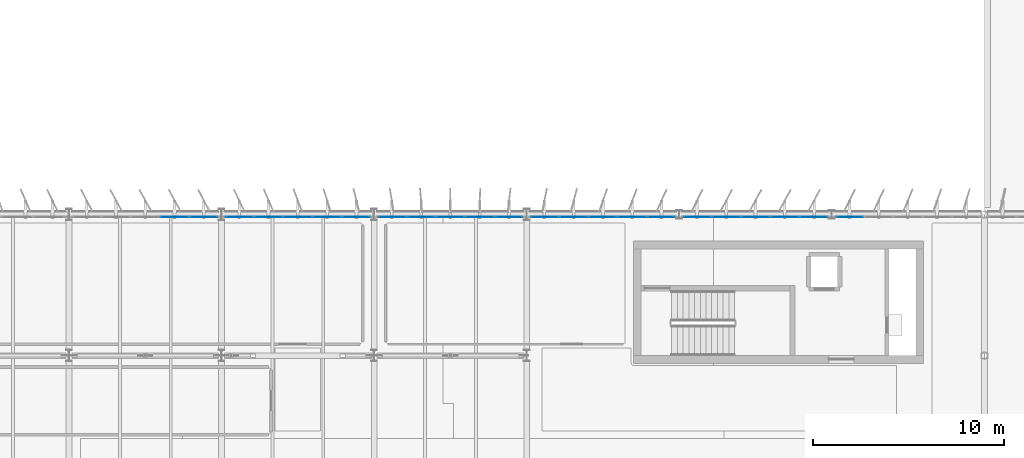
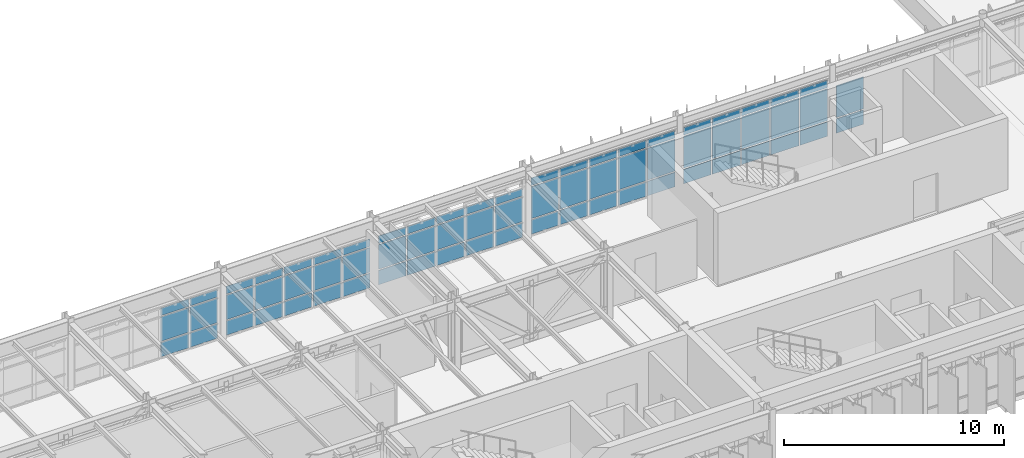
# One storey, part 30 of 56: 68 plates, 6 elements without a shape of their own.
"""IFC4 building model written with IfcOpenShell, lengths in metres."""

from ifc_helpers import new_model, si_unit, direction, frame, origin, origin_2d, place, context, subcontext, project, spatial, rectangle, extrude, material, layer, layer_set, type_object, element, aggregate, save


model = new_model("IFC4")

# Units and contexts
model_context = context("Model", 3, precision=1e-05, world=origin(), true_north=direction((0.0, 1.0)))
body_context = subcontext(model_context, "Body", "Model", "MODEL_VIEW")
ifc_project = project(units=[si_unit("LENGTHUNIT", "METRE"), si_unit("AREAUNIT", "SQUARE_METRE"), si_unit("VOLUMEUNIT", "CUBIC_METRE"), si_unit("PLANEANGLEUNIT", "RADIAN"), si_unit("MASSUNIT", "GRAM", prefix="KILO")], contexts=[model_context])

# Site, building, storey
site_placement = place(None, origin())
site = spatial("IfcSite", under=ifc_project, at=site_placement, CompositionType="ELEMENT")
building_placement = place(site_placement, origin())
building = spatial("IfcBuilding", under=site, at=building_placement, Name="Valkorina Park Police Headquarters", CompositionType="ELEMENT")
storey_placement = place(building_placement, frame((0.0, 0.0, 14.10009765625)))
storey = spatial("IfcBuildingStorey", under=building, at=storey_placement, Name="L04", CompositionType="ELEMENT", Elevation=14.10009765625)

# Curtain wall, plates
ifc_material_1 = material(Name="Thermally broken aluminium AW-6060", Category="aluminium")
ifc_layer_1 = layer(ifc_material_1, 0.18994140625)
ifc_layer_set_1 = layer_set([ifc_layer_1], Name="Thermally broken aluminium AW-6060")
curtain_wall_type_1 = type_object("IfcCurtainWallType", Name="CW-V5-7680x2840", PredefinedType="NOTDEFINED", material=ifc_layer_set_1)
curtain_wall_1_placement = place(storey_placement, origin())
curtain_wall_1 = element("IfcCurtainWall", 1, at=curtain_wall_1_placement, inside=storey, type_object=curtain_wall_type_1, Name="L04 Unitised Curtain Wall 031", PredefinedType="NOTDEFINED")
ifc_layer_2 = layer(ifc_material_1, 0.050048828125)
ifc_layer_set_2 = layer_set([ifc_layer_2], Name="Thermally broken aluminium AW-6060")
plate_type_1 = type_object("IfcPlateType", Name="PL-CWP-SPANDREL-50", PredefinedType="CURTAIN_PANEL", material=ifc_layer_set_2)
plate_1_placement = place(storey_placement, frame((14.3359375, 59.080078125, 0.06982421875), z_axis=(0.0, 0.0, 1.0), x_axis=(1.0, 0.0, 0.0)))
plate_1 = element("IfcPlate", 2, at=plate_1_placement, type_object=plate_type_1, Name="CW-V5-768-284 panel 4.1", PredefinedType="CURTAIN_PANEL", context=body_context, shape_type="SweptSolid", body=[
    extrude(rectangle(XDim=1.466064453125, YDim=0.028076171875, at=origin_2d()), origin(), (0.0, 0.0, 1.0), 0.794921875),
])
plate_2_placement = place(storey_placement, frame((15.8544921875, 59.080078125, 0.06982421875), z_axis=(0.0, 0.0, 1.0), x_axis=(1.0, 0.0, 0.0)))
plate_2 = element("IfcPlate", 3, at=plate_2_placement, type_object=plate_type_1, Name="CW-V5-768-284 panel 5.1", PredefinedType="CURTAIN_PANEL", context=body_context, shape_type="SweptSolid", body=[
    extrude(rectangle(XDim=1.430908203125, YDim=0.028076171875, at=origin_2d()), origin(), (0.0, 0.0, 1.0), 0.794921875),
])

curtain_wall_2_placement = place(storey_placement, origin())
curtain_wall_2 = element("IfcCurtainWall", 4, at=curtain_wall_2_placement, inside=storey, type_object=curtain_wall_type_1, Name="L04 Unitised Curtain Wall 032", PredefinedType="NOTDEFINED")
plate_3_placement = place(storey_placement, frame((17.74560546875, 59.080078125, 0.06982421875), z_axis=(0.0, 0.0, 1.0), x_axis=(1.0, 0.0, 0.0)))
plate_3 = element("IfcPlate", 5, at=plate_3_placement, type_object=plate_type_1, Name="CW-V5-768-284 panel 1.1", PredefinedType="CURTAIN_PANEL", context=body_context, shape_type="SweptSolid", body=[
    extrude(rectangle(XDim=1.430908203125, YDim=0.028076171875, at=origin_2d()), origin(), (0.0, 0.0, 1.0), 0.794921875),
])
plate_4_placement = place(storey_placement, frame((19.263916015625, 59.080078125, 0.06982421875), z_axis=(0.0, 0.0, 1.0), x_axis=(1.0, 0.0, 0.0)))
plate_4 = element("IfcPlate", 6, at=plate_4_placement, type_object=plate_type_1, Name="CW-V5-768-284 panel 2.1", PredefinedType="CURTAIN_PANEL", context=body_context, shape_type="SweptSolid", body=[
    extrude(rectangle(XDim=1.466064453125, YDim=0.028076171875, at=origin_2d()), origin(), (0.0, 0.0, 1.0), 0.794921875),
])
plate_5_placement = place(storey_placement, frame((20.800048828125, 59.080078125, 0.06982421875), z_axis=(0.0, 0.0, 1.0), x_axis=(1.0, 0.0, 0.0)))
plate_5 = element("IfcPlate", 7, at=plate_5_placement, type_object=plate_type_1, Name="CW-V5-768-284 panel 3.1", PredefinedType="CURTAIN_PANEL", context=body_context, shape_type="SweptSolid", body=[
    extrude(rectangle(XDim=1.466064453125, YDim=0.028076171875, at=origin_2d()), origin(), (0.0, 0.0, 1.0), 0.794921875),
])
plate_6_placement = place(storey_placement, frame((22.3359375, 59.080078125, 0.06982421875), z_axis=(0.0, 0.0, 1.0), x_axis=(1.0, 0.0, 0.0)))
plate_6 = element("IfcPlate", 8, at=plate_6_placement, type_object=plate_type_1, Name="CW-V5-768-284 panel 4.1", PredefinedType="CURTAIN_PANEL", context=body_context, shape_type="SweptSolid", body=[
    extrude(rectangle(XDim=1.466064453125, YDim=0.028076171875, at=origin_2d()), origin(), (0.0, 0.0, 1.0), 0.794921875),
])
plate_7_placement = place(storey_placement, frame((23.8544921875, 59.080078125, 0.06982421875), z_axis=(0.0, 0.0, 1.0), x_axis=(1.0, 0.0, 0.0)))
plate_7 = element("IfcPlate", 9, at=plate_7_placement, type_object=plate_type_1, Name="CW-V5-768-284 panel 5.1", PredefinedType="CURTAIN_PANEL", context=body_context, shape_type="SweptSolid", body=[
    extrude(rectangle(XDim=1.430908203125, YDim=0.028076171875, at=origin_2d()), origin(), (0.0, 0.0, 1.0), 0.794921875),
])

curtain_wall_3_placement = place(storey_placement, origin())
curtain_wall_3 = element("IfcCurtainWall", 10, at=curtain_wall_3_placement, inside=storey, type_object=curtain_wall_type_1, Name="L04 Unitised Curtain Wall 033", PredefinedType="NOTDEFINED")
plate_8_placement = place(storey_placement, frame((25.74560546875, 59.080078125, 0.06982421875), z_axis=(0.0, 0.0, 1.0), x_axis=(1.0, 0.0, 0.0)))
plate_8 = element("IfcPlate", 11, at=plate_8_placement, type_object=plate_type_1, Name="CW-V5-768-284 panel 1.1", PredefinedType="CURTAIN_PANEL", context=body_context, shape_type="SweptSolid", body=[
    extrude(rectangle(XDim=1.430908203125, YDim=0.028076171875, at=origin_2d()), origin(), (0.0, 0.0, 1.0), 0.794921875),
])
plate_9_placement = place(storey_placement, frame((27.263916015625, 59.080078125, 0.06982421875), z_axis=(0.0, 0.0, 1.0), x_axis=(1.0, 0.0, 0.0)))
plate_9 = element("IfcPlate", 12, at=plate_9_placement, type_object=plate_type_1, Name="CW-V5-768-284 panel 2.1", PredefinedType="CURTAIN_PANEL", context=body_context, shape_type="SweptSolid", body=[
    extrude(rectangle(XDim=1.466064453125, YDim=0.028076171875, at=origin_2d()), origin(), (0.0, 0.0, 1.0), 0.794921875),
])
plate_10_placement = place(storey_placement, frame((28.800048828125, 59.080078125, 0.06982421875), z_axis=(0.0, 0.0, 1.0), x_axis=(1.0, 0.0, 0.0)))
plate_10 = element("IfcPlate", 13, at=plate_10_placement, type_object=plate_type_1, Name="CW-V5-768-284 panel 3.1", PredefinedType="CURTAIN_PANEL", context=body_context, shape_type="SweptSolid", body=[
    extrude(rectangle(XDim=1.466064453125, YDim=0.028076171875, at=origin_2d()), origin(), (0.0, 0.0, 1.0), 0.794921875),
])
plate_11_placement = place(storey_placement, frame((30.3359375, 59.080078125, 0.06982421875), z_axis=(0.0, 0.0, 1.0), x_axis=(1.0, 0.0, 0.0)))
plate_11 = element("IfcPlate", 14, at=plate_11_placement, type_object=plate_type_1, Name="CW-V5-768-284 panel 4.1", PredefinedType="CURTAIN_PANEL", context=body_context, shape_type="SweptSolid", body=[
    extrude(rectangle(XDim=1.466064453125, YDim=0.028076171875, at=origin_2d()), origin(), (0.0, 0.0, 1.0), 0.794921875),
])
plate_12_placement = place(storey_placement, frame((31.8544921875, 59.080078125, 0.06982421875), z_axis=(0.0, 0.0, 1.0), x_axis=(1.0, 0.0, 0.0)))
plate_12 = element("IfcPlate", 15, at=plate_12_placement, type_object=plate_type_1, Name="CW-V5-768-284 panel 5.1", PredefinedType="CURTAIN_PANEL", context=body_context, shape_type="SweptSolid", body=[
    extrude(rectangle(XDim=1.430908203125, YDim=0.028076171875, at=origin_2d()), origin(), (0.0, 0.0, 1.0), 0.794921875),
])

ifc_layer_3 = layer(ifc_material_1, 0.18994140625)
ifc_layer_set_3 = layer_set([ifc_layer_3], Name="Thermally broken aluminium AW-6060")
curtain_wall_type_2 = type_object("IfcCurtainWallType", Name="CW-V5-7680x3260", PredefinedType="NOTDEFINED", material=ifc_layer_set_3)
curtain_wall_4_placement = place(storey_placement, origin())
curtain_wall_4 = element("IfcCurtainWall", 16, at=curtain_wall_4_placement, inside=storey, type_object=curtain_wall_type_2, Name="L04 Unitised Curtain Wall 034", PredefinedType="NOTDEFINED")
plate_13_placement = place(storey_placement, frame((33.74560546875, 59.080078125, 0.06982421875), z_axis=(0.0, 0.0, 1.0), x_axis=(1.0, 0.0, 0.0)))
plate_13 = element("IfcPlate", 17, at=plate_13_placement, type_object=plate_type_1, Name="CW-V5-768-326 panel 1.1", PredefinedType="CURTAIN_PANEL", context=body_context, shape_type="SweptSolid", body=[
    extrude(rectangle(XDim=1.430908203125, YDim=0.028076171875, at=origin_2d()), origin(), (0.0, 0.0, 1.0), 0.794921875),
])
plate_14_placement = place(storey_placement, frame((35.263916015625, 59.080078125, 0.06982421875), z_axis=(0.0, 0.0, 1.0), x_axis=(1.0, 0.0, 0.0)))
plate_14 = element("IfcPlate", 18, at=plate_14_placement, type_object=plate_type_1, Name="CW-V5-768-326 panel 2.1", PredefinedType="CURTAIN_PANEL", context=body_context, shape_type="SweptSolid", body=[
    extrude(rectangle(XDim=1.466064453125, YDim=0.028076171875, at=origin_2d()), origin(), (0.0, 0.0, 1.0), 0.794921875),
])
plate_15_placement = place(storey_placement, frame((36.800048828125, 59.080078125, 0.06982421875), z_axis=(0.0, 0.0, 1.0), x_axis=(1.0, 0.0, 0.0)))
plate_15 = element("IfcPlate", 19, at=plate_15_placement, type_object=plate_type_1, Name="CW-V5-768-326 panel 3.1", PredefinedType="CURTAIN_PANEL", context=body_context, shape_type="SweptSolid", body=[
    extrude(rectangle(XDim=1.466064453125, YDim=0.028076171875, at=origin_2d()), origin(), (0.0, 0.0, 1.0), 0.794921875),
])
plate_16_placement = place(storey_placement, frame((38.3359375, 59.080078125, 0.06982421875), z_axis=(0.0, 0.0, 1.0), x_axis=(1.0, 0.0, 0.0)))
plate_16 = element("IfcPlate", 20, at=plate_16_placement, type_object=plate_type_1, Name="CW-V5-768-326 panel 4.1", PredefinedType="CURTAIN_PANEL", context=body_context, shape_type="SweptSolid", body=[
    extrude(rectangle(XDim=1.466064453125, YDim=0.028076171875, at=origin_2d()), origin(), (0.0, 0.0, 1.0), 0.794921875),
])
plate_17_placement = place(storey_placement, frame((39.8544921875, 59.080078125, 0.06982421875), z_axis=(0.0, 0.0, 1.0), x_axis=(1.0, 0.0, 0.0)))
plate_17 = element("IfcPlate", 21, at=plate_17_placement, type_object=plate_type_1, Name="CW-V5-768-326 panel 5.1", PredefinedType="CURTAIN_PANEL", context=body_context, shape_type="SweptSolid", body=[
    extrude(rectangle(XDim=1.430908203125, YDim=0.028076171875, at=origin_2d()), origin(), (0.0, 0.0, 1.0), 0.794921875),
])

curtain_wall_5_placement = place(storey_placement, origin())
curtain_wall_5 = element("IfcCurtainWall", 22, at=curtain_wall_5_placement, inside=storey, type_object=curtain_wall_type_2, Name="L04 Unitised Curtain Wall 035", PredefinedType="NOTDEFINED")
plate_18_placement = place(storey_placement, frame((41.74560546875, 59.080078125, 0.06982421875), z_axis=(0.0, 0.0, 1.0), x_axis=(1.0, 0.0, 0.0)))
plate_18 = element("IfcPlate", 23, at=plate_18_placement, type_object=plate_type_1, Name="CW-V5-768-326 panel 1.1", PredefinedType="CURTAIN_PANEL", context=body_context, shape_type="SweptSolid", body=[
    extrude(rectangle(XDim=1.430908203125, YDim=0.028076171875, at=origin_2d()), origin(), (0.0, 0.0, 1.0), 0.794921875),
])
plate_19_placement = place(storey_placement, frame((43.263916015625, 59.080078125, 0.06982421875), z_axis=(0.0, 0.0, 1.0), x_axis=(1.0, 0.0, 0.0)))
plate_19 = element("IfcPlate", 24, at=plate_19_placement, type_object=plate_type_1, Name="CW-V5-768-326 panel 2.1", PredefinedType="CURTAIN_PANEL", context=body_context, shape_type="SweptSolid", body=[
    extrude(rectangle(XDim=1.466064453125, YDim=0.028076171875, at=origin_2d()), origin(), (0.0, 0.0, 1.0), 0.794921875),
])
plate_20_placement = place(storey_placement, frame((44.800048828125, 59.080078125, 0.06982421875), z_axis=(0.0, 0.0, 1.0), x_axis=(1.0, 0.0, 0.0)))
plate_20 = element("IfcPlate", 25, at=plate_20_placement, type_object=plate_type_1, Name="CW-V5-768-326 panel 3.1", PredefinedType="CURTAIN_PANEL", context=body_context, shape_type="SweptSolid", body=[
    extrude(rectangle(XDim=1.466064453125, YDim=0.028076171875, at=origin_2d()), origin(), (0.0, 0.0, 1.0), 0.794921875),
])
plate_21_placement = place(storey_placement, frame((46.3359375, 59.080078125, 0.06982421875), z_axis=(0.0, 0.0, 1.0), x_axis=(1.0, 0.0, 0.0)))
plate_21 = element("IfcPlate", 26, at=plate_21_placement, type_object=plate_type_1, Name="CW-V5-768-326 panel 4.1", PredefinedType="CURTAIN_PANEL", context=body_context, shape_type="SweptSolid", body=[
    extrude(rectangle(XDim=1.466064453125, YDim=0.028076171875, at=origin_2d()), origin(), (0.0, 0.0, 1.0), 0.794921875),
])
plate_22_placement = place(storey_placement, frame((47.8544921875, 59.080078125, 0.06982421875), z_axis=(0.0, 0.0, 1.0), x_axis=(1.0, 0.0, 0.0)))
plate_22 = element("IfcPlate", 27, at=plate_22_placement, type_object=plate_type_1, Name="CW-V5-768-326 panel 5.1", PredefinedType="CURTAIN_PANEL", context=body_context, shape_type="SweptSolid", body=[
    extrude(rectangle(XDim=1.430908203125, YDim=0.028076171875, at=origin_2d()), origin(), (0.0, 0.0, 1.0), 0.794921875),
])

# Curtain wall, plate
ifc_layer_4 = layer(ifc_material_1, 0.18994140625)
ifc_layer_set_4 = layer_set([ifc_layer_4], Name="Thermally broken aluminium AW-6060")
curtain_wall_type_3 = type_object("IfcCurtainWallType", Name="CW-V5-7650x3260", PredefinedType="NOTDEFINED", material=ifc_layer_set_4)
curtain_wall_6_placement = place(storey_placement, origin())
curtain_wall_6 = element("IfcCurtainWall", 28, at=curtain_wall_6_placement, inside=storey, type_object=curtain_wall_type_3, Name="L04 Unitised Curtain Wall 036", PredefinedType="NOTDEFINED")
plate_23_placement = place(storey_placement, frame((49.74267578125, 59.080078125, 0.06982421875), z_axis=(0.0, 0.0, 1.0), x_axis=(1.0, 0.0, 0.0)))
plate_23 = element("IfcPlate", 29, at=plate_23_placement, type_object=plate_type_1, Name="CW-V5-765-326 panel 1.1", PredefinedType="CURTAIN_PANEL", context=body_context, shape_type="SweptSolid", body=[
    extrude(rectangle(XDim=1.425537109375, YDim=0.028076171875, at=origin_2d()), origin(), (0.0, 0.0, 1.0), 0.794921875),
])

# Plate
ifc_material_2 = material(Name="Triple low-E insulated glazing", Category="glass")
ifc_layer_5 = layer(ifc_material_2, 0.028076171875)
ifc_layer_set_5 = layer_set([ifc_layer_5], Name="Triple low-E insulated glazing")
plate_type_2 = type_object("IfcPlateType", Name="PL-CWP-VISION-28", PredefinedType="CURTAIN_PANEL", material=ifc_layer_set_5)
plate_24_placement = place(storey_placement, frame((14.3359375, 59.080078125, 0.934814453125), z_axis=(0.0, 0.0, 1.0), x_axis=(1.0, 0.0, 0.0)))
plate_24 = element("IfcPlate", 30, at=plate_24_placement, type_object=plate_type_2, Name="CW-V5-768-284 panel 4.2", PredefinedType="CURTAIN_PANEL", context=body_context, shape_type="SweptSolid", body=[
    extrude(rectangle(XDim=1.466064453125, YDim=0.028076171875, at=origin_2d()), origin(), (0.0, 0.0, 1.0), 1.35498046875),
])

plate_25_placement = place(storey_placement, frame((14.3359375, 59.080078125, 2.35986328125), z_axis=(0.0, 0.0, 1.0), x_axis=(1.0, 0.0, 0.0)))
plate_25 = element("IfcPlate", 31, at=plate_25_placement, type_object=plate_type_2, Name="CW-V5-768-284 panel 4.3", PredefinedType="CURTAIN_PANEL", context=body_context, shape_type="SweptSolid", body=[
    extrude(rectangle(XDim=1.466064453125, YDim=0.028076171875, at=origin_2d()), origin(), (0.0, 0.0, 1.0), 0.4150390625),
])

plate_26_placement = place(storey_placement, frame((15.8544921875, 59.080078125, 0.934814453125), z_axis=(0.0, 0.0, 1.0), x_axis=(1.0, 0.0, 0.0)))
plate_26 = element("IfcPlate", 32, at=plate_26_placement, type_object=plate_type_2, Name="CW-V5-768-284 panel 5.2", PredefinedType="CURTAIN_PANEL", context=body_context, shape_type="SweptSolid", body=[
    extrude(rectangle(XDim=1.430908203125, YDim=0.028076171875, at=origin_2d()), origin(), (0.0, 0.0, 1.0), 1.35498046875),
])

plate_27_placement = place(storey_placement, frame((15.8544921875, 59.080078125, 2.35986328125), z_axis=(0.0, 0.0, 1.0), x_axis=(1.0, 0.0, 0.0)))
plate_27 = element("IfcPlate", 33, at=plate_27_placement, type_object=plate_type_2, Name="CW-V5-768-284 panel 5.3", PredefinedType="CURTAIN_PANEL", context=body_context, shape_type="SweptSolid", body=[
    extrude(rectangle(XDim=1.430908203125, YDim=0.028076171875, at=origin_2d()), origin(), (0.0, 0.0, 1.0), 0.4150390625),
])

aggregate(curtain_wall_1, [plate_1, plate_24, plate_25, plate_2, plate_26, plate_27])

plate_28_placement = place(storey_placement, frame((17.74560546875, 59.080078125, 0.934814453125), z_axis=(0.0, 0.0, 1.0), x_axis=(1.0, 0.0, 0.0)))
plate_28 = element("IfcPlate", 34, at=plate_28_placement, type_object=plate_type_2, Name="CW-V5-768-284 panel 1.2", PredefinedType="CURTAIN_PANEL", context=body_context, shape_type="SweptSolid", body=[
    extrude(rectangle(XDim=1.430908203125, YDim=0.028076171875, at=origin_2d()), origin(), (0.0, 0.0, 1.0), 1.35498046875),
])

plate_29_placement = place(storey_placement, frame((17.74560546875, 59.080078125, 2.35986328125), z_axis=(0.0, 0.0, 1.0), x_axis=(1.0, 0.0, 0.0)))
plate_29 = element("IfcPlate", 35, at=plate_29_placement, type_object=plate_type_2, Name="CW-V5-768-284 panel 1.3", PredefinedType="CURTAIN_PANEL", context=body_context, shape_type="SweptSolid", body=[
    extrude(rectangle(XDim=1.430908203125, YDim=0.028076171875, at=origin_2d()), origin(), (0.0, 0.0, 1.0), 0.4150390625),
])

plate_30_placement = place(storey_placement, frame((19.263916015625, 59.080078125, 0.934814453125), z_axis=(0.0, 0.0, 1.0), x_axis=(1.0, 0.0, 0.0)))
plate_30 = element("IfcPlate", 36, at=plate_30_placement, type_object=plate_type_2, Name="CW-V5-768-284 panel 2.2", PredefinedType="CURTAIN_PANEL", context=body_context, shape_type="SweptSolid", body=[
    extrude(rectangle(XDim=1.466064453125, YDim=0.028076171875, at=origin_2d()), origin(), (0.0, 0.0, 1.0), 1.35498046875),
])

plate_31_placement = place(storey_placement, frame((19.263916015625, 59.080078125, 2.35986328125), z_axis=(0.0, 0.0, 1.0), x_axis=(1.0, 0.0, 0.0)))
plate_31 = element("IfcPlate", 37, at=plate_31_placement, type_object=plate_type_2, Name="CW-V5-768-284 panel 2.3", PredefinedType="CURTAIN_PANEL", context=body_context, shape_type="SweptSolid", body=[
    extrude(rectangle(XDim=1.466064453125, YDim=0.028076171875, at=origin_2d()), origin(), (0.0, 0.0, 1.0), 0.4150390625),
])

plate_32_placement = place(storey_placement, frame((20.800048828125, 59.080078125, 0.934814453125), z_axis=(0.0, 0.0, 1.0), x_axis=(1.0, 0.0, 0.0)))
plate_32 = element("IfcPlate", 38, at=plate_32_placement, type_object=plate_type_2, Name="CW-V5-768-284 panel 3.2", PredefinedType="CURTAIN_PANEL", context=body_context, shape_type="SweptSolid", body=[
    extrude(rectangle(XDim=1.466064453125, YDim=0.028076171875, at=origin_2d()), origin(), (0.0, 0.0, 1.0), 1.35498046875),
])

plate_33_placement = place(storey_placement, frame((20.800048828125, 59.080078125, 2.35986328125), z_axis=(0.0, 0.0, 1.0), x_axis=(1.0, 0.0, 0.0)))
plate_33 = element("IfcPlate", 39, at=plate_33_placement, type_object=plate_type_2, Name="CW-V5-768-284 panel 3.3", PredefinedType="CURTAIN_PANEL", context=body_context, shape_type="SweptSolid", body=[
    extrude(rectangle(XDim=1.466064453125, YDim=0.028076171875, at=origin_2d()), origin(), (0.0, 0.0, 1.0), 0.4150390625),
])

plate_34_placement = place(storey_placement, frame((22.3359375, 59.080078125, 0.934814453125), z_axis=(0.0, 0.0, 1.0), x_axis=(1.0, 0.0, 0.0)))
plate_34 = element("IfcPlate", 40, at=plate_34_placement, type_object=plate_type_2, Name="CW-V5-768-284 panel 4.2", PredefinedType="CURTAIN_PANEL", context=body_context, shape_type="SweptSolid", body=[
    extrude(rectangle(XDim=1.466064453125, YDim=0.028076171875, at=origin_2d()), origin(), (0.0, 0.0, 1.0), 1.35498046875),
])

plate_35_placement = place(storey_placement, frame((22.3359375, 59.080078125, 2.35986328125), z_axis=(0.0, 0.0, 1.0), x_axis=(1.0, 0.0, 0.0)))
plate_35 = element("IfcPlate", 41, at=plate_35_placement, type_object=plate_type_2, Name="CW-V5-768-284 panel 4.3", PredefinedType="CURTAIN_PANEL", context=body_context, shape_type="SweptSolid", body=[
    extrude(rectangle(XDim=1.466064453125, YDim=0.028076171875, at=origin_2d()), origin(), (0.0, 0.0, 1.0), 0.4150390625),
])

plate_36_placement = place(storey_placement, frame((23.8544921875, 59.080078125, 0.934814453125), z_axis=(0.0, 0.0, 1.0), x_axis=(1.0, 0.0, 0.0)))
plate_36 = element("IfcPlate", 42, at=plate_36_placement, type_object=plate_type_2, Name="CW-V5-768-284 panel 5.2", PredefinedType="CURTAIN_PANEL", context=body_context, shape_type="SweptSolid", body=[
    extrude(rectangle(XDim=1.430908203125, YDim=0.028076171875, at=origin_2d()), origin(), (0.0, 0.0, 1.0), 1.35498046875),
])

plate_37_placement = place(storey_placement, frame((23.8544921875, 59.080078125, 2.35986328125), z_axis=(0.0, 0.0, 1.0), x_axis=(1.0, 0.0, 0.0)))
plate_37 = element("IfcPlate", 43, at=plate_37_placement, type_object=plate_type_2, Name="CW-V5-768-284 panel 5.3", PredefinedType="CURTAIN_PANEL", context=body_context, shape_type="SweptSolid", body=[
    extrude(rectangle(XDim=1.430908203125, YDim=0.028076171875, at=origin_2d()), origin(), (0.0, 0.0, 1.0), 0.4150390625),
])

aggregate(curtain_wall_2, [plate_3, plate_28, plate_29, plate_4, plate_30, plate_31, plate_5, plate_32, plate_33, plate_6, plate_34, plate_35, plate_7, plate_36, plate_37])

plate_38_placement = place(storey_placement, frame((25.74560546875, 59.080078125, 0.934814453125), z_axis=(0.0, 0.0, 1.0), x_axis=(1.0, 0.0, 0.0)))
plate_38 = element("IfcPlate", 44, at=plate_38_placement, type_object=plate_type_2, Name="CW-V5-768-284 panel 1.2", PredefinedType="CURTAIN_PANEL", context=body_context, shape_type="SweptSolid", body=[
    extrude(rectangle(XDim=1.430908203125, YDim=0.028076171875, at=origin_2d()), origin(), (0.0, 0.0, 1.0), 1.35498046875),
])

plate_39_placement = place(storey_placement, frame((25.74560546875, 59.080078125, 2.35986328125), z_axis=(0.0, 0.0, 1.0), x_axis=(1.0, 0.0, 0.0)))
plate_39 = element("IfcPlate", 45, at=plate_39_placement, type_object=plate_type_2, Name="CW-V5-768-284 panel 1.3", PredefinedType="CURTAIN_PANEL", context=body_context, shape_type="SweptSolid", body=[
    extrude(rectangle(XDim=1.430908203125, YDim=0.028076171875, at=origin_2d()), origin(), (0.0, 0.0, 1.0), 0.4150390625),
])

plate_40_placement = place(storey_placement, frame((27.263916015625, 59.080078125, 0.934814453125), z_axis=(0.0, 0.0, 1.0), x_axis=(1.0, 0.0, 0.0)))
plate_40 = element("IfcPlate", 46, at=plate_40_placement, type_object=plate_type_2, Name="CW-V5-768-284 panel 2.2", PredefinedType="CURTAIN_PANEL", context=body_context, shape_type="SweptSolid", body=[
    extrude(rectangle(XDim=1.466064453125, YDim=0.028076171875, at=origin_2d()), origin(), (0.0, 0.0, 1.0), 1.35498046875),
])

plate_41_placement = place(storey_placement, frame((27.263916015625, 59.080078125, 2.35986328125), z_axis=(0.0, 0.0, 1.0), x_axis=(1.0, 0.0, 0.0)))
plate_41 = element("IfcPlate", 47, at=plate_41_placement, type_object=plate_type_2, Name="CW-V5-768-284 panel 2.3", PredefinedType="CURTAIN_PANEL", context=body_context, shape_type="SweptSolid", body=[
    extrude(rectangle(XDim=1.466064453125, YDim=0.028076171875, at=origin_2d()), origin(), (0.0, 0.0, 1.0), 0.4150390625),
])

plate_42_placement = place(storey_placement, frame((28.800048828125, 59.080078125, 0.934814453125), z_axis=(0.0, 0.0, 1.0), x_axis=(1.0, 0.0, 0.0)))
plate_42 = element("IfcPlate", 48, at=plate_42_placement, type_object=plate_type_2, Name="CW-V5-768-284 panel 3.2", PredefinedType="CURTAIN_PANEL", context=body_context, shape_type="SweptSolid", body=[
    extrude(rectangle(XDim=1.466064453125, YDim=0.028076171875, at=origin_2d()), origin(), (0.0, 0.0, 1.0), 1.35498046875),
])

plate_43_placement = place(storey_placement, frame((28.800048828125, 59.080078125, 2.35986328125), z_axis=(0.0, 0.0, 1.0), x_axis=(1.0, 0.0, 0.0)))
plate_43 = element("IfcPlate", 49, at=plate_43_placement, type_object=plate_type_2, Name="CW-V5-768-284 panel 3.3", PredefinedType="CURTAIN_PANEL", context=body_context, shape_type="SweptSolid", body=[
    extrude(rectangle(XDim=1.466064453125, YDim=0.028076171875, at=origin_2d()), origin(), (0.0, 0.0, 1.0), 0.4150390625),
])

plate_44_placement = place(storey_placement, frame((30.3359375, 59.080078125, 0.934814453125), z_axis=(0.0, 0.0, 1.0), x_axis=(1.0, 0.0, 0.0)))
plate_44 = element("IfcPlate", 50, at=plate_44_placement, type_object=plate_type_2, Name="CW-V5-768-284 panel 4.2", PredefinedType="CURTAIN_PANEL", context=body_context, shape_type="SweptSolid", body=[
    extrude(rectangle(XDim=1.466064453125, YDim=0.028076171875, at=origin_2d()), origin(), (0.0, 0.0, 1.0), 1.35498046875),
])

plate_45_placement = place(storey_placement, frame((30.3359375, 59.080078125, 2.35986328125), z_axis=(0.0, 0.0, 1.0), x_axis=(1.0, 0.0, 0.0)))
plate_45 = element("IfcPlate", 51, at=plate_45_placement, type_object=plate_type_2, Name="CW-V5-768-284 panel 4.3", PredefinedType="CURTAIN_PANEL", context=body_context, shape_type="SweptSolid", body=[
    extrude(rectangle(XDim=1.466064453125, YDim=0.028076171875, at=origin_2d()), origin(), (0.0, 0.0, 1.0), 0.4150390625),
])

plate_46_placement = place(storey_placement, frame((31.8544921875, 59.080078125, 0.934814453125), z_axis=(0.0, 0.0, 1.0), x_axis=(1.0, 0.0, 0.0)))
plate_46 = element("IfcPlate", 52, at=plate_46_placement, type_object=plate_type_2, Name="CW-V5-768-284 panel 5.2", PredefinedType="CURTAIN_PANEL", context=body_context, shape_type="SweptSolid", body=[
    extrude(rectangle(XDim=1.430908203125, YDim=0.028076171875, at=origin_2d()), origin(), (0.0, 0.0, 1.0), 1.35498046875),
])

plate_47_placement = place(storey_placement, frame((31.8544921875, 59.080078125, 2.35986328125), z_axis=(0.0, 0.0, 1.0), x_axis=(1.0, 0.0, 0.0)))
plate_47 = element("IfcPlate", 53, at=plate_47_placement, type_object=plate_type_2, Name="CW-V5-768-284 panel 5.3", PredefinedType="CURTAIN_PANEL", context=body_context, shape_type="SweptSolid", body=[
    extrude(rectangle(XDim=1.430908203125, YDim=0.028076171875, at=origin_2d()), origin(), (0.0, 0.0, 1.0), 0.4150390625),
])

aggregate(curtain_wall_3, [plate_8, plate_38, plate_39, plate_9, plate_40, plate_41, plate_10, plate_42, plate_43, plate_11, plate_44, plate_45, plate_12, plate_46, plate_47])

plate_48_placement = place(storey_placement, frame((33.74560546875, 59.080078125, 0.93505859375), z_axis=(0.0, 0.0, 1.0), x_axis=(1.0, 0.0, 0.0)))
plate_48 = element("IfcPlate", 54, at=plate_48_placement, type_object=plate_type_2, Name="CW-V5-768-326 panel 1.2", PredefinedType="CURTAIN_PANEL", context=body_context, shape_type="SweptSolid", body=[
    extrude(rectangle(XDim=1.430908203125, YDim=0.028076171875, at=origin_2d()), origin(), (0.0, 0.0, 1.0), 1.764892578125),
])

plate_49_placement = place(storey_placement, frame((33.74560546875, 59.080078125, 2.769775390625), z_axis=(0.0, 0.0, 1.0), x_axis=(1.0, 0.0, 0.0)))
plate_49 = element("IfcPlate", 55, at=plate_49_placement, type_object=plate_type_2, Name="CW-V5-768-326 panel 1.3", PredefinedType="CURTAIN_PANEL", context=body_context, shape_type="SweptSolid", body=[
    extrude(rectangle(XDim=1.430908203125, YDim=0.028076171875, at=origin_2d()), origin(), (0.0, 0.0, 1.0), 0.4150390625),
])

plate_50_placement = place(storey_placement, frame((35.263916015625, 59.080078125, 0.93505859375), z_axis=(0.0, 0.0, 1.0), x_axis=(1.0, 0.0, 0.0)))
plate_50 = element("IfcPlate", 56, at=plate_50_placement, type_object=plate_type_2, Name="CW-V5-768-326 panel 2.2", PredefinedType="CURTAIN_PANEL", context=body_context, shape_type="SweptSolid", body=[
    extrude(rectangle(XDim=1.466064453125, YDim=0.028076171875, at=origin_2d()), origin(), (0.0, 0.0, 1.0), 1.764892578125),
])

plate_51_placement = place(storey_placement, frame((35.263916015625, 59.080078125, 2.769775390625), z_axis=(0.0, 0.0, 1.0), x_axis=(1.0, 0.0, 0.0)))
plate_51 = element("IfcPlate", 57, at=plate_51_placement, type_object=plate_type_2, Name="CW-V5-768-326 panel 2.3", PredefinedType="CURTAIN_PANEL", context=body_context, shape_type="SweptSolid", body=[
    extrude(rectangle(XDim=1.466064453125, YDim=0.028076171875, at=origin_2d()), origin(), (0.0, 0.0, 1.0), 0.4150390625),
])

plate_52_placement = place(storey_placement, frame((36.800048828125, 59.080078125, 0.93505859375), z_axis=(0.0, 0.0, 1.0), x_axis=(1.0, 0.0, 0.0)))
plate_52 = element("IfcPlate", 58, at=plate_52_placement, type_object=plate_type_2, Name="CW-V5-768-326 panel 3.2", PredefinedType="CURTAIN_PANEL", context=body_context, shape_type="SweptSolid", body=[
    extrude(rectangle(XDim=1.466064453125, YDim=0.028076171875, at=origin_2d()), origin(), (0.0, 0.0, 1.0), 1.764892578125),
])

plate_53_placement = place(storey_placement, frame((36.800048828125, 59.080078125, 2.769775390625), z_axis=(0.0, 0.0, 1.0), x_axis=(1.0, 0.0, 0.0)))
plate_53 = element("IfcPlate", 59, at=plate_53_placement, type_object=plate_type_2, Name="CW-V5-768-326 panel 3.3", PredefinedType="CURTAIN_PANEL", context=body_context, shape_type="SweptSolid", body=[
    extrude(rectangle(XDim=1.466064453125, YDim=0.028076171875, at=origin_2d()), origin(), (0.0, 0.0, 1.0), 0.4150390625),
])

plate_54_placement = place(storey_placement, frame((38.3359375, 59.080078125, 0.93505859375), z_axis=(0.0, 0.0, 1.0), x_axis=(1.0, 0.0, 0.0)))
plate_54 = element("IfcPlate", 60, at=plate_54_placement, type_object=plate_type_2, Name="CW-V5-768-326 panel 4.2", PredefinedType="CURTAIN_PANEL", context=body_context, shape_type="SweptSolid", body=[
    extrude(rectangle(XDim=1.466064453125, YDim=0.028076171875, at=origin_2d()), origin(), (0.0, 0.0, 1.0), 1.764892578125),
])

plate_55_placement = place(storey_placement, frame((38.3359375, 59.080078125, 2.769775390625), z_axis=(0.0, 0.0, 1.0), x_axis=(1.0, 0.0, 0.0)))
plate_55 = element("IfcPlate", 61, at=plate_55_placement, type_object=plate_type_2, Name="CW-V5-768-326 panel 4.3", PredefinedType="CURTAIN_PANEL", context=body_context, shape_type="SweptSolid", body=[
    extrude(rectangle(XDim=1.466064453125, YDim=0.028076171875, at=origin_2d()), origin(), (0.0, 0.0, 1.0), 0.4150390625),
])

plate_56_placement = place(storey_placement, frame((39.8544921875, 59.080078125, 0.93505859375), z_axis=(0.0, 0.0, 1.0), x_axis=(1.0, 0.0, 0.0)))
plate_56 = element("IfcPlate", 62, at=plate_56_placement, type_object=plate_type_2, Name="CW-V5-768-326 panel 5.2", PredefinedType="CURTAIN_PANEL", context=body_context, shape_type="SweptSolid", body=[
    extrude(rectangle(XDim=1.430908203125, YDim=0.028076171875, at=origin_2d()), origin(), (0.0, 0.0, 1.0), 1.764892578125),
])

plate_57_placement = place(storey_placement, frame((39.8544921875, 59.080078125, 2.769775390625), z_axis=(0.0, 0.0, 1.0), x_axis=(1.0, 0.0, 0.0)))
plate_57 = element("IfcPlate", 63, at=plate_57_placement, type_object=plate_type_2, Name="CW-V5-768-326 panel 5.3", PredefinedType="CURTAIN_PANEL", context=body_context, shape_type="SweptSolid", body=[
    extrude(rectangle(XDim=1.430908203125, YDim=0.028076171875, at=origin_2d()), origin(), (0.0, 0.0, 1.0), 0.4150390625),
])

aggregate(curtain_wall_4, [plate_13, plate_48, plate_49, plate_14, plate_50, plate_51, plate_15, plate_52, plate_53, plate_16, plate_54, plate_55, plate_17, plate_56, plate_57])

plate_58_placement = place(storey_placement, frame((41.74560546875, 59.080078125, 0.93505859375), z_axis=(0.0, 0.0, 1.0), x_axis=(1.0, 0.0, 0.0)))
plate_58 = element("IfcPlate", 64, at=plate_58_placement, type_object=plate_type_2, Name="CW-V5-768-326 panel 1.2", PredefinedType="CURTAIN_PANEL", context=body_context, shape_type="SweptSolid", body=[
    extrude(rectangle(XDim=1.430908203125, YDim=0.028076171875, at=origin_2d()), origin(), (0.0, 0.0, 1.0), 1.764892578125),
])

plate_59_placement = place(storey_placement, frame((41.74560546875, 59.080078125, 2.769775390625), z_axis=(0.0, 0.0, 1.0), x_axis=(1.0, 0.0, 0.0)))
plate_59 = element("IfcPlate", 65, at=plate_59_placement, type_object=plate_type_2, Name="CW-V5-768-326 panel 1.3", PredefinedType="CURTAIN_PANEL", context=body_context, shape_type="SweptSolid", body=[
    extrude(rectangle(XDim=1.430908203125, YDim=0.028076171875, at=origin_2d()), origin(), (0.0, 0.0, 1.0), 0.4150390625),
])

plate_60_placement = place(storey_placement, frame((43.263916015625, 59.080078125, 0.93505859375), z_axis=(0.0, 0.0, 1.0), x_axis=(1.0, 0.0, 0.0)))
plate_60 = element("IfcPlate", 66, at=plate_60_placement, type_object=plate_type_2, Name="CW-V5-768-326 panel 2.2", PredefinedType="CURTAIN_PANEL", context=body_context, shape_type="SweptSolid", body=[
    extrude(rectangle(XDim=1.466064453125, YDim=0.028076171875, at=origin_2d()), origin(), (0.0, 0.0, 1.0), 1.764892578125),
])

plate_61_placement = place(storey_placement, frame((43.263916015625, 59.080078125, 2.769775390625), z_axis=(0.0, 0.0, 1.0), x_axis=(1.0, 0.0, 0.0)))
plate_61 = element("IfcPlate", 67, at=plate_61_placement, type_object=plate_type_2, Name="CW-V5-768-326 panel 2.3", PredefinedType="CURTAIN_PANEL", context=body_context, shape_type="SweptSolid", body=[
    extrude(rectangle(XDim=1.466064453125, YDim=0.028076171875, at=origin_2d()), origin(), (0.0, 0.0, 1.0), 0.4150390625),
])

plate_62_placement = place(storey_placement, frame((44.800048828125, 59.080078125, 0.93505859375), z_axis=(0.0, 0.0, 1.0), x_axis=(1.0, 0.0, 0.0)))
plate_62 = element("IfcPlate", 68, at=plate_62_placement, type_object=plate_type_2, Name="CW-V5-768-326 panel 3.2", PredefinedType="CURTAIN_PANEL", context=body_context, shape_type="SweptSolid", body=[
    extrude(rectangle(XDim=1.466064453125, YDim=0.028076171875, at=origin_2d()), origin(), (0.0, 0.0, 1.0), 1.764892578125),
])

plate_63_placement = place(storey_placement, frame((44.800048828125, 59.080078125, 2.769775390625), z_axis=(0.0, 0.0, 1.0), x_axis=(1.0, 0.0, 0.0)))
plate_63 = element("IfcPlate", 69, at=plate_63_placement, type_object=plate_type_2, Name="CW-V5-768-326 panel 3.3", PredefinedType="CURTAIN_PANEL", context=body_context, shape_type="SweptSolid", body=[
    extrude(rectangle(XDim=1.466064453125, YDim=0.028076171875, at=origin_2d()), origin(), (0.0, 0.0, 1.0), 0.4150390625),
])

plate_64_placement = place(storey_placement, frame((46.3359375, 59.080078125, 0.93505859375), z_axis=(0.0, 0.0, 1.0), x_axis=(1.0, 0.0, 0.0)))
plate_64 = element("IfcPlate", 70, at=plate_64_placement, type_object=plate_type_2, Name="CW-V5-768-326 panel 4.2", PredefinedType="CURTAIN_PANEL", context=body_context, shape_type="SweptSolid", body=[
    extrude(rectangle(XDim=1.466064453125, YDim=0.028076171875, at=origin_2d()), origin(), (0.0, 0.0, 1.0), 1.764892578125),
])

plate_65_placement = place(storey_placement, frame((46.3359375, 59.080078125, 2.769775390625), z_axis=(0.0, 0.0, 1.0), x_axis=(1.0, 0.0, 0.0)))
plate_65 = element("IfcPlate", 71, at=plate_65_placement, type_object=plate_type_2, Name="CW-V5-768-326 panel 4.3", PredefinedType="CURTAIN_PANEL", context=body_context, shape_type="SweptSolid", body=[
    extrude(rectangle(XDim=1.466064453125, YDim=0.028076171875, at=origin_2d()), origin(), (0.0, 0.0, 1.0), 0.4150390625),
])

plate_66_placement = place(storey_placement, frame((47.8544921875, 59.080078125, 0.93505859375), z_axis=(0.0, 0.0, 1.0), x_axis=(1.0, 0.0, 0.0)))
plate_66 = element("IfcPlate", 72, at=plate_66_placement, type_object=plate_type_2, Name="CW-V5-768-326 panel 5.2", PredefinedType="CURTAIN_PANEL", context=body_context, shape_type="SweptSolid", body=[
    extrude(rectangle(XDim=1.430908203125, YDim=0.028076171875, at=origin_2d()), origin(), (0.0, 0.0, 1.0), 1.764892578125),
])

plate_67_placement = place(storey_placement, frame((47.8544921875, 59.080078125, 2.769775390625), z_axis=(0.0, 0.0, 1.0), x_axis=(1.0, 0.0, 0.0)))
plate_67 = element("IfcPlate", 73, at=plate_67_placement, type_object=plate_type_2, Name="CW-V5-768-326 panel 5.3", PredefinedType="CURTAIN_PANEL", context=body_context, shape_type="SweptSolid", body=[
    extrude(rectangle(XDim=1.430908203125, YDim=0.028076171875, at=origin_2d()), origin(), (0.0, 0.0, 1.0), 0.4150390625),
])

aggregate(curtain_wall_5, [plate_18, plate_58, plate_59, plate_19, plate_60, plate_61, plate_20, plate_62, plate_63, plate_21, plate_64, plate_65, plate_22, plate_66, plate_67])

plate_68_placement = place(storey_placement, frame((49.74267578125, 59.080078125, 0.93505859375), z_axis=(0.0, 0.0, 1.0), x_axis=(1.0, 0.0, 0.0)))
plate_68 = element("IfcPlate", 74, at=plate_68_placement, type_object=plate_type_2, Name="CW-V5-765-326 panel 1.2", PredefinedType="CURTAIN_PANEL", context=body_context, shape_type="SweptSolid", body=[
    extrude(rectangle(XDim=1.425537109375, YDim=0.028076171875, at=origin_2d()), origin(), (0.0, 0.0, 1.0), 1.764892578125),
])

aggregate(curtain_wall_6, [plate_23, plate_68])

save(model, "model.ifc")
